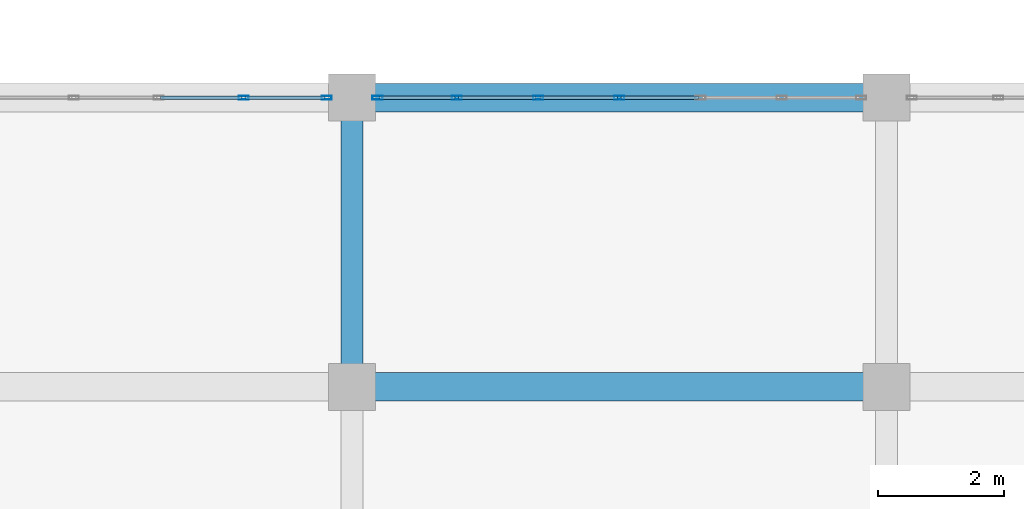
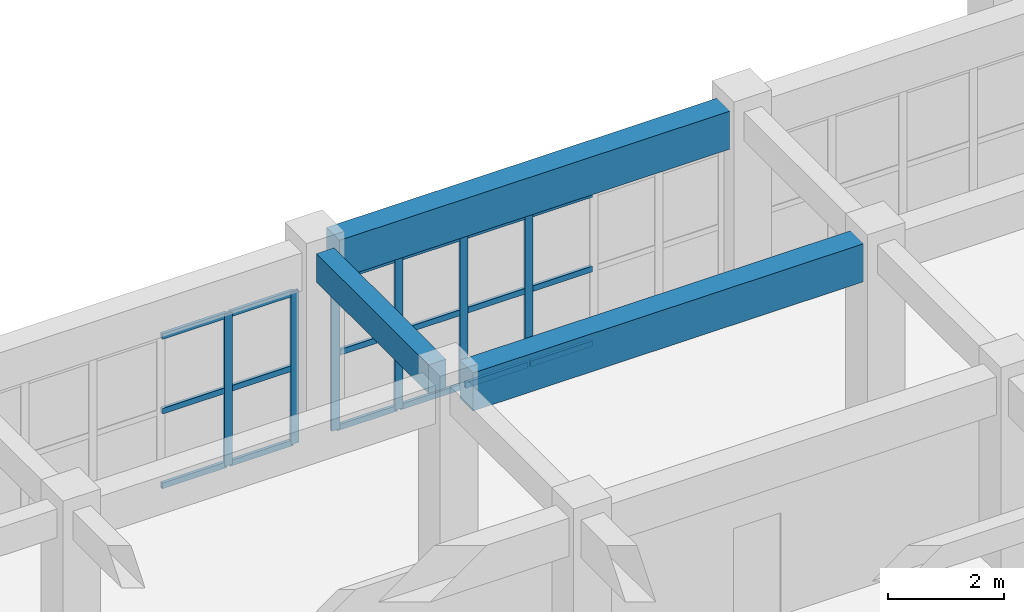
# One storey, part 11 of 116: 24 members, 3 beams, 2 elements without a shape of their own.
"""IFC4 building model written with IfcOpenShell, lengths in metres."""

from ifc_helpers import new_model, si_unit, direction, frame, origin, origin_2d, place, context, subcontext, project, spatial, rectangle, hollow_rectangle, extrude, material, layer, layer_set, material_profile, profile_set, type_object, element, aggregate, save


model = new_model("IFC4")

# Units and contexts
model_context = context("Model", 3, precision=1e-05, world=origin(), true_north=direction((0.0, 1.0)))
body_context = subcontext(model_context, "Body", "Model", "MODEL_VIEW")
ifc_project = project(units=[si_unit("LENGTHUNIT", "METRE"), si_unit("AREAUNIT", "SQUARE_METRE"), si_unit("VOLUMEUNIT", "CUBIC_METRE"), si_unit("PLANEANGLEUNIT", "RADIAN"), si_unit("MASSUNIT", "GRAM", prefix="KILO")], contexts=[model_context])

# Site, building, storey
site_placement = place(None, origin())
site = spatial("IfcSite", under=ifc_project, at=site_placement, CompositionType="ELEMENT")
building_placement = place(site_placement, origin())
building = spatial("IfcBuilding", under=site, at=building_placement, Name="Muzn Square Opera House", CompositionType="ELEMENT")
storey_placement = place(building_placement, frame((0.0, 0.0, 5.39990234375)))
storey = spatial("IfcBuildingStorey", under=building, at=storey_placement, Name="L01", CompositionType="ELEMENT", Elevation=5.39990234375)

# Curtain wall, members
ifc_material_1 = material(Name="Low-E laminated acoustic double glazing", Category="glass")
ifc_layer_1 = layer(ifc_material_1, 0.159912109375, Name="Low-E laminated acoustic double glazing", Category="glass")
ifc_layer_set_1 = layer_set([ifc_layer_1], Name="Low-E laminated acoustic double glazing")
curtain_wall_type_1 = type_object("IfcCurtainWallType", Name="Glazed Curtain Wall WestCloisterS 6750x3200", PredefinedType="USERDEFINED", material=ifc_layer_set_1)
curtain_wall_1_placement = place(storey_placement, origin())
curtain_wall_1 = element("IfcCurtainWall", 1, at=curtain_wall_1_placement, inside=storey, type_object=curtain_wall_type_1, Name="Glazed Curtain Wall CW-L01-081", ObjectType="GLAZED CURTAIN WALL", PredefinedType="USERDEFINED")
ifc_material_2 = material(Name="Anodised bronze aluminium 6063-T6", Category="metal")
ifc_material_profile_1 = material_profile(ifc_material_2, hollow_rectangle(XDim=0.06005859375, YDim=0.159912109375, WallThickness=0.00390625, at=origin_2d()), Name="ALU 160x60x4", Category="metal")
ifc_profile_set_1 = profile_set([ifc_material_profile_1], Name="Anodised bronze aluminium 6063-T6")
member_type_1 = type_object("IfcMemberType", Name="Curtain Wall Mullion 160x60", PredefinedType="MULLION", material=ifc_profile_set_1)
member_1_placement = place(storey_placement, frame((24.77490234375, 31.199951171875, 0.0), z_axis=(0.0, 0.0, 1.0), x_axis=(0.0, 1.0, 0.0)))
member_1 = element("IfcMember", 2, at=member_1_placement, type_object=member_type_1, Name="CW-WCS-67x32 mullion 5", PredefinedType="MULLION", context=body_context, shape_type="SweptSolid", body=[
    extrude(hollow_rectangle(XDim=0.06005859375, YDim=0.159912109375, WallThickness=0.00390625, at=origin_2d()), origin(), (0.0, 0.0, 1.0), 3.2001953125),
])
member_2_placement = place(storey_placement, frame((26.094970703125, 31.199951171875, 0.0), z_axis=(0.0, 0.0, 1.0), x_axis=(0.0, 1.0, 0.0)))
member_2 = element("IfcMember", 3, at=member_2_placement, type_object=member_type_1, Name="CW-WCS-67x32 mullion 6", PredefinedType="MULLION", context=body_context, shape_type="SweptSolid", body=[
    extrude(hollow_rectangle(XDim=0.06005859375, YDim=0.159912109375, WallThickness=0.00390625, at=origin_2d()), origin(), (0.0, 0.0, 1.0), 3.2001953125),
])

ifc_layer_2 = layer(ifc_material_1, 0.159912109375, Name="Low-E laminated acoustic double glazing", Category="glass")
ifc_layer_set_2 = layer_set([ifc_layer_2], Name="Low-E laminated acoustic double glazing")
curtain_wall_type_2 = type_object("IfcCurtainWallType", Name="Glazed Curtain Wall WestCloisterS 7750x3200", PredefinedType="USERDEFINED", material=ifc_layer_set_2)
curtain_wall_2_placement = place(storey_placement, origin())
curtain_wall_2 = element("IfcCurtainWall", 4, at=curtain_wall_2_placement, inside=storey, type_object=curtain_wall_type_2, Name="Glazed Curtain Wall CW-L01-083", ObjectType="GLAZED CURTAIN WALL", PredefinedType="USERDEFINED")
member_3_placement = place(storey_placement, frame((26.905029296875, 31.199951171875, 0.0), z_axis=(0.0, 0.0, 1.0), x_axis=(0.0, 1.0, 0.0)))
member_3 = element("IfcMember", 5, at=member_3_placement, type_object=member_type_1, Name="CW-WCS-77x32 mullion 1", PredefinedType="MULLION", context=body_context, shape_type="SweptSolid", body=[
    extrude(hollow_rectangle(XDim=0.06005859375, YDim=0.159912109375, WallThickness=0.00390625, at=origin_2d()), origin(), (0.0, 0.0, 1.0), 3.2001953125),
])
member_4_placement = place(storey_placement, frame((28.166748046875, 31.199951171875, 0.0), z_axis=(0.0, 0.0, 1.0), x_axis=(0.0, 1.0, 0.0)))
member_4 = element("IfcMember", 6, at=member_4_placement, type_object=member_type_1, Name="CW-WCS-77x32 mullion 2", PredefinedType="MULLION", context=body_context, shape_type="SweptSolid", body=[
    extrude(hollow_rectangle(XDim=0.06005859375, YDim=0.159912109375, WallThickness=0.00390625, at=origin_2d()), origin(), (0.0, 0.0, 1.0), 3.2001953125),
])
member_5_placement = place(storey_placement, frame((29.458251953125, 31.199951171875, 0.0), z_axis=(0.0, 0.0, 1.0), x_axis=(0.0, 1.0, 0.0)))
member_5 = element("IfcMember", 7, at=member_5_placement, type_object=member_type_1, Name="CW-WCS-77x32 mullion 3", PredefinedType="MULLION", context=body_context, shape_type="SweptSolid", body=[
    extrude(hollow_rectangle(XDim=0.06005859375, YDim=0.159912109375, WallThickness=0.00390625, at=origin_2d()), origin(), (0.0, 0.0, 1.0), 3.2001953125),
])
member_6_placement = place(storey_placement, frame((30.75, 31.199951171875, 0.0), z_axis=(0.0, 0.0, 1.0), x_axis=(0.0, 1.0, 0.0)))
member_6 = element("IfcMember", 8, at=member_6_placement, type_object=member_type_1, Name="CW-WCS-77x32 mullion 4", PredefinedType="MULLION", context=body_context, shape_type="SweptSolid", body=[
    extrude(hollow_rectangle(XDim=0.06005859375, YDim=0.159912109375, WallThickness=0.00390625, at=origin_2d()), origin(), (0.0, 0.0, 1.0), 3.2001953125),
])

# Member
ifc_material_profile_2 = material_profile(ifc_material_2, hollow_rectangle(XDim=0.06005859375, YDim=0.1201171875, WallThickness=0.00390625, at=origin_2d()), Name="ALU 120x60x4", Category="metal")
ifc_profile_set_2 = profile_set([ifc_material_profile_2], Name="Anodised bronze aluminium 6063-T6")
member_type_2 = type_object("IfcMemberType", Name="Curtain Wall Transom 120x60", PredefinedType="USERDEFINED", material=ifc_profile_set_2)
member_7_placement = place(storey_placement, frame((23.455078125, 31.199951171875, 0.030029296875), z_axis=(1.0, 0.0, 0.0), x_axis=(0.0, 1.0, 0.0)))
member_7 = element("IfcMember", 9, at=member_7_placement, type_object=member_type_2, Name="CW-WCS-67x32 transom 4.1", ObjectType="TRANSOM", PredefinedType="USERDEFINED", context=body_context, shape_type="SweptSolid", body=[
    extrude(hollow_rectangle(XDim=0.06005859375, YDim=0.1201171875, WallThickness=0.00390625, at=origin_2d()), origin(), (0.0, 0.0, 1.0), 1.2900390625),
])

member_8_placement = place(storey_placement, frame((23.455078125, 31.199951171875, 1.60009765625), z_axis=(1.0, 0.0, 0.0), x_axis=(0.0, 1.0, 0.0)))
member_8 = element("IfcMember", 10, at=member_8_placement, type_object=member_type_2, Name="CW-WCS-67x32 transom 4.2", ObjectType="TRANSOM", PredefinedType="USERDEFINED", context=body_context, shape_type="SweptSolid", body=[
    extrude(hollow_rectangle(XDim=0.06005859375, YDim=0.1201171875, WallThickness=0.00390625, at=origin_2d()), origin(), (0.0, 0.0, 1.0), 1.2900390625),
])

member_9_placement = place(storey_placement, frame((23.455078125, 31.199951171875, 3.170166015625), z_axis=(1.0, 0.0, 0.0), x_axis=(0.0, 1.0, 0.0)))
member_9 = element("IfcMember", 11, at=member_9_placement, type_object=member_type_2, Name="CW-WCS-67x32 transom 4.3", ObjectType="TRANSOM", PredefinedType="USERDEFINED", context=body_context, shape_type="SweptSolid", body=[
    extrude(hollow_rectangle(XDim=0.06005859375, YDim=0.1201171875, WallThickness=0.00390625, at=origin_2d()), origin(), (0.0, 0.0, 1.0), 1.2900390625),
])

member_10_placement = place(storey_placement, frame((24.804931640625, 31.199951171875, 0.030029296875), z_axis=(1.0, 0.0, 0.0), x_axis=(0.0, 1.0, 0.0)))
member_10 = element("IfcMember", 12, at=member_10_placement, type_object=member_type_2, Name="CW-WCS-67x32 transom 5.1", ObjectType="TRANSOM", PredefinedType="USERDEFINED", context=body_context, shape_type="SweptSolid", body=[
    extrude(hollow_rectangle(XDim=0.06005859375, YDim=0.1201171875, WallThickness=0.00390625, at=origin_2d()), origin(), (0.0, 0.0, 1.0), 1.260009765625),
])

member_11_placement = place(storey_placement, frame((24.804931640625, 31.199951171875, 1.60009765625), z_axis=(1.0, 0.0, 0.0), x_axis=(0.0, 1.0, 0.0)))
member_11 = element("IfcMember", 13, at=member_11_placement, type_object=member_type_2, Name="CW-WCS-67x32 transom 5.2", ObjectType="TRANSOM", PredefinedType="USERDEFINED", context=body_context, shape_type="SweptSolid", body=[
    extrude(hollow_rectangle(XDim=0.06005859375, YDim=0.1201171875, WallThickness=0.00390625, at=origin_2d()), origin(), (0.0, 0.0, 1.0), 1.260009765625),
])

member_12_placement = place(storey_placement, frame((24.804931640625, 31.199951171875, 3.170166015625), z_axis=(1.0, 0.0, 0.0), x_axis=(0.0, 1.0, 0.0)))
member_12 = element("IfcMember", 14, at=member_12_placement, type_object=member_type_2, Name="CW-WCS-67x32 transom 5.3", ObjectType="TRANSOM", PredefinedType="USERDEFINED", context=body_context, shape_type="SweptSolid", body=[
    extrude(hollow_rectangle(XDim=0.06005859375, YDim=0.1201171875, WallThickness=0.00390625, at=origin_2d()), origin(), (0.0, 0.0, 1.0), 1.260009765625),
])

aggregate(curtain_wall_1, [member_1, member_2, member_7, member_8, member_9, member_10, member_11, member_12])

member_13_placement = place(storey_placement, frame((26.93505859375, 31.199951171875, 0.030029296875), z_axis=(1.0, 0.0, 0.0), x_axis=(0.0, 1.0, 0.0)))
member_13 = element("IfcMember", 15, at=member_13_placement, type_object=member_type_2, Name="CW-WCS-77x32 transom 1.1", ObjectType="TRANSOM", PredefinedType="USERDEFINED", context=body_context, shape_type="SweptSolid", body=[
    extrude(hollow_rectangle(XDim=0.06005859375, YDim=0.1201171875, WallThickness=0.00390625, at=origin_2d()), origin(), (0.0, 0.0, 1.0), 1.20166015625),
])

member_14_placement = place(storey_placement, frame((26.93505859375, 31.199951171875, 1.60009765625), z_axis=(1.0, 0.0, 0.0), x_axis=(0.0, 1.0, 0.0)))
member_14 = element("IfcMember", 16, at=member_14_placement, type_object=member_type_2, Name="CW-WCS-77x32 transom 1.2", ObjectType="TRANSOM", PredefinedType="USERDEFINED", context=body_context, shape_type="SweptSolid", body=[
    extrude(hollow_rectangle(XDim=0.06005859375, YDim=0.1201171875, WallThickness=0.00390625, at=origin_2d()), origin(), (0.0, 0.0, 1.0), 1.20166015625),
])

member_15_placement = place(storey_placement, frame((26.93505859375, 31.199951171875, 3.170166015625), z_axis=(1.0, 0.0, 0.0), x_axis=(0.0, 1.0, 0.0)))
member_15 = element("IfcMember", 17, at=member_15_placement, type_object=member_type_2, Name="CW-WCS-77x32 transom 1.3", ObjectType="TRANSOM", PredefinedType="USERDEFINED", context=body_context, shape_type="SweptSolid", body=[
    extrude(hollow_rectangle(XDim=0.06005859375, YDim=0.1201171875, WallThickness=0.00390625, at=origin_2d()), origin(), (0.0, 0.0, 1.0), 1.20166015625),
])

member_16_placement = place(storey_placement, frame((28.19677734375, 31.199951171875, 0.030029296875), z_axis=(1.0, 0.0, 0.0), x_axis=(0.0, 1.0, 0.0)))
member_16 = element("IfcMember", 18, at=member_16_placement, type_object=member_type_2, Name="CW-WCS-77x32 transom 2.1", ObjectType="TRANSOM", PredefinedType="USERDEFINED", context=body_context, shape_type="SweptSolid", body=[
    extrude(hollow_rectangle(XDim=0.06005859375, YDim=0.1201171875, WallThickness=0.00390625, at=origin_2d()), origin(), (0.0, 0.0, 1.0), 1.2314453125),
])

member_17_placement = place(storey_placement, frame((28.19677734375, 31.199951171875, 1.60009765625), z_axis=(1.0, 0.0, 0.0), x_axis=(0.0, 1.0, 0.0)))
member_17 = element("IfcMember", 19, at=member_17_placement, type_object=member_type_2, Name="CW-WCS-77x32 transom 2.2", ObjectType="TRANSOM", PredefinedType="USERDEFINED", context=body_context, shape_type="SweptSolid", body=[
    extrude(hollow_rectangle(XDim=0.06005859375, YDim=0.1201171875, WallThickness=0.00390625, at=origin_2d()), origin(), (0.0, 0.0, 1.0), 1.2314453125),
])

member_18_placement = place(storey_placement, frame((28.19677734375, 31.199951171875, 3.170166015625), z_axis=(1.0, 0.0, 0.0), x_axis=(0.0, 1.0, 0.0)))
member_18 = element("IfcMember", 20, at=member_18_placement, type_object=member_type_2, Name="CW-WCS-77x32 transom 2.3", ObjectType="TRANSOM", PredefinedType="USERDEFINED", context=body_context, shape_type="SweptSolid", body=[
    extrude(hollow_rectangle(XDim=0.06005859375, YDim=0.1201171875, WallThickness=0.00390625, at=origin_2d()), origin(), (0.0, 0.0, 1.0), 1.2314453125),
])

member_19_placement = place(storey_placement, frame((29.48828125, 31.199951171875, 0.030029296875), z_axis=(1.0, 0.0, 0.0), x_axis=(0.0, 1.0, 0.0)))
member_19 = element("IfcMember", 21, at=member_19_placement, type_object=member_type_2, Name="CW-WCS-77x32 transom 3.1", ObjectType="TRANSOM", PredefinedType="USERDEFINED", context=body_context, shape_type="SweptSolid", body=[
    extrude(hollow_rectangle(XDim=0.06005859375, YDim=0.1201171875, WallThickness=0.00390625, at=origin_2d()), origin(), (0.0, 0.0, 1.0), 1.231689453125),
])

member_20_placement = place(storey_placement, frame((29.48828125, 31.199951171875, 1.60009765625), z_axis=(1.0, 0.0, 0.0), x_axis=(0.0, 1.0, 0.0)))
member_20 = element("IfcMember", 22, at=member_20_placement, type_object=member_type_2, Name="CW-WCS-77x32 transom 3.2", ObjectType="TRANSOM", PredefinedType="USERDEFINED", context=body_context, shape_type="SweptSolid", body=[
    extrude(hollow_rectangle(XDim=0.06005859375, YDim=0.1201171875, WallThickness=0.00390625, at=origin_2d()), origin(), (0.0, 0.0, 1.0), 1.231689453125),
])

member_21_placement = place(storey_placement, frame((29.48828125, 31.199951171875, 3.170166015625), z_axis=(1.0, 0.0, 0.0), x_axis=(0.0, 1.0, 0.0)))
member_21 = element("IfcMember", 23, at=member_21_placement, type_object=member_type_2, Name="CW-WCS-77x32 transom 3.3", ObjectType="TRANSOM", PredefinedType="USERDEFINED", context=body_context, shape_type="SweptSolid", body=[
    extrude(hollow_rectangle(XDim=0.06005859375, YDim=0.1201171875, WallThickness=0.00390625, at=origin_2d()), origin(), (0.0, 0.0, 1.0), 1.231689453125),
])

member_22_placement = place(storey_placement, frame((30.780029296875, 31.199951171875, 0.030029296875), z_axis=(1.0, 0.0, 0.0), x_axis=(0.0, 1.0, 0.0)))
member_22 = element("IfcMember", 24, at=member_22_placement, type_object=member_type_2, Name="CW-WCS-77x32 transom 4.1", ObjectType="TRANSOM", PredefinedType="USERDEFINED", context=body_context, shape_type="SweptSolid", body=[
    extrude(hollow_rectangle(XDim=0.06005859375, YDim=0.1201171875, WallThickness=0.00390625, at=origin_2d()), origin(), (0.0, 0.0, 1.0), 1.231689453125),
])

member_23_placement = place(storey_placement, frame((30.780029296875, 31.199951171875, 1.60009765625), z_axis=(1.0, 0.0, 0.0), x_axis=(0.0, 1.0, 0.0)))
member_23 = element("IfcMember", 25, at=member_23_placement, type_object=member_type_2, Name="CW-WCS-77x32 transom 4.2", ObjectType="TRANSOM", PredefinedType="USERDEFINED", context=body_context, shape_type="SweptSolid", body=[
    extrude(hollow_rectangle(XDim=0.06005859375, YDim=0.1201171875, WallThickness=0.00390625, at=origin_2d()), origin(), (0.0, 0.0, 1.0), 1.231689453125),
])

member_24_placement = place(storey_placement, frame((30.780029296875, 31.199951171875, 3.170166015625), z_axis=(1.0, 0.0, 0.0), x_axis=(0.0, 1.0, 0.0)))
member_24 = element("IfcMember", 26, at=member_24_placement, type_object=member_type_2, Name="CW-WCS-77x32 transom 4.3", ObjectType="TRANSOM", PredefinedType="USERDEFINED", context=body_context, shape_type="SweptSolid", body=[
    extrude(hollow_rectangle(XDim=0.06005859375, YDim=0.1201171875, WallThickness=0.00390625, at=origin_2d()), origin(), (0.0, 0.0, 1.0), 1.231689453125),
])

aggregate(curtain_wall_2, [member_3, member_4, member_5, member_6, member_13, member_14, member_15, member_16, member_17, member_18, member_19, member_20, member_21, member_22, member_23, member_24])

# Beams
ifc_material_3 = material(Name="Concrete C40/50", Category="concrete")
ifc_material_profile_3 = material_profile(ifc_material_3, rectangle(XDim=0.35009765625, YDim=0.60009765625, at=origin_2d()), Name="RCB 350x600", Category="concrete")
ifc_profile_set_3 = profile_set([ifc_material_profile_3], Name="Concrete C40/50")
beam_type_1 = type_object("IfcBeamType", Name="Primary Girder 350x600", PredefinedType="BEAM", material=ifc_profile_set_3)
beam_placement = place(storey_placement, frame((26.5, 26.967041015625, 3.820068359375), z_axis=(0.0, 1.0, 0.0), x_axis=(-1.0, 0.0, 0.0)))
element("IfcBeam", 27, at=beam_placement, inside=storey, type_object=beam_type_1, Name="Primary Girder BM-L01-BM-PG600-265_270_265_308-1574", PredefinedType="BEAM", context=body_context, shape_type="SweptSolid", body=[
    extrude(rectangle(XDim=0.35009765625, YDim=0.60009765625, at=origin_2d()), origin(), (0.0, 0.0, 1.0), 3.865966796875),
])
ifc_material_profile_4 = material_profile(ifc_material_3, rectangle(XDim=0.449951171875, YDim=0.800048828125, at=origin_2d()), Name="RCB 450x800", Category="concrete")
ifc_profile_set_4 = profile_set([ifc_material_profile_4], Name="Concrete C40/50")
beam_type_2 = type_object("IfcBeamType", Name="Primary Girder 450x800", PredefinedType="BEAM", material=ifc_profile_set_4)
for number, where, z_axis, x_axis, name in (
    (28, (26.866943359375, 26.60009765625, 3.72021484375), (1.0, 0.0, 0.0), (0.0, 1.0, 0.0), "Primary Girder BM-L01-BM-PG800-269_266_346_266-1299"),
    (29, (26.866943359375, 31.199951171875, 3.72021484375), (1.0, 0.0, 0.0), (0.0, 1.0, 0.0), "Primary Girder BM-L01-BM-PG800-269_312_346_312-1316"),
):
    element("IfcBeam", number, at=place(storey_placement, frame(where, z_axis=z_axis, x_axis=x_axis)), inside=storey, type_object=beam_type_2, Name=name, PredefinedType="BEAM", context=body_context, shape_type="SweptSolid", body=[
        extrude(rectangle(XDim=0.449951171875, YDim=0.800048828125, at=origin_2d()), origin(), (0.0, 0.0, 1.0), 7.76611328125),
    ])

save(model, "model.ifc")
